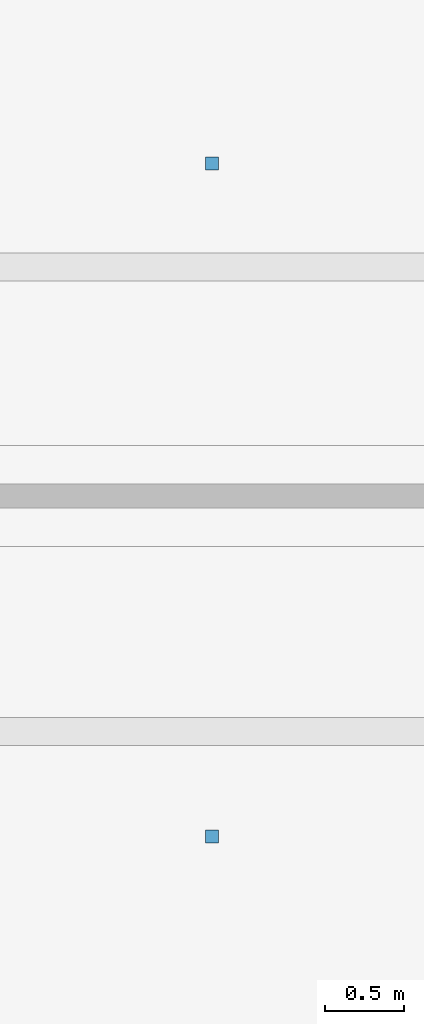
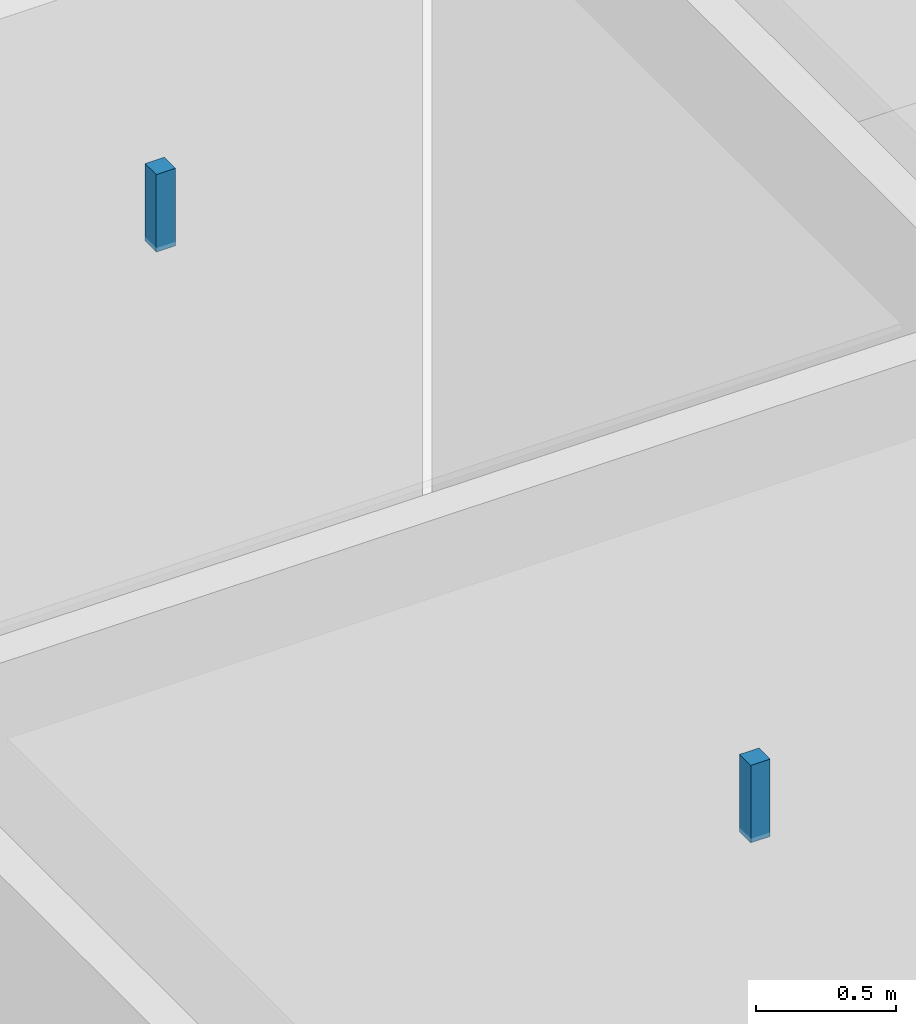
# One storey, part 96 of 116: 2 discrete accessories.
"""IFC4 building model written with IfcOpenShell, lengths in metres."""

from ifc_helpers import new_model, si_unit, direction, frame, origin, origin_2d, place, context, subcontext, project, spatial, rectangle, extrude, material, type_object, element, save


model = new_model("IFC4")

# Units and contexts
model_context = context("Model", 3, precision=1e-05, world=origin(), true_north=direction((0.0, 1.0)))
body_context = subcontext(model_context, "Body", "Model", "MODEL_VIEW")
ifc_project = project(units=[si_unit("LENGTHUNIT", "METRE"), si_unit("AREAUNIT", "SQUARE_METRE"), si_unit("VOLUMEUNIT", "CUBIC_METRE"), si_unit("PLANEANGLEUNIT", "RADIAN"), si_unit("MASSUNIT", "GRAM", prefix="KILO")], contexts=[model_context])

# Site, building, storey
site_placement = place(None, origin())
site = spatial("IfcSite", under=ifc_project, at=site_placement, CompositionType="ELEMENT")
building_placement = place(site_placement, origin())
building = spatial("IfcBuilding", under=site, at=building_placement, Name="Chalmorin Arch Market", CompositionType="ELEMENT")
storey_placement = place(building_placement, origin())
storey = spatial("IfcBuildingStorey", under=building, at=storey_placement, Name="L00", CompositionType="ELEMENT", Elevation=0.0)

# Discrete accessories
ifc_material = material(Name="Galvanized Cold-Formed Steel", Category="steel")
discrete_accessory_type = type_object("IfcDiscreteAccessoryType", Name="CeilingSuspensionBracket-80x80", PredefinedType="BRACKET", material=ifc_material)
for number, where, z_axis, x_axis, name in (
    (1, (117.550048828125, 8.449951171875, 4.261962890625), (0.0, 0.0, 1.0), (1.0, 0.0, 0.0), "CSB-077"),
    (2, (117.550048828125, 12.699951171875, 4.261962890625), (0.0, 0.0, 1.0), (1.0, 0.0, 0.0), "CSB-081"),
):
    element("IfcDiscreteAccessory", number, at=place(storey_placement, frame(where, z_axis=z_axis, x_axis=x_axis)), inside=storey, type_object=discrete_accessory_type, Name=name, PredefinedType="BRACKET", context=body_context, shape_type="SweptSolid", body=[
        extrude(rectangle(XDim=0.080078125, YDim=0.080078125, at=origin_2d()), origin(), (0.0, 0.0, 1.0), 0.337890625),
    ])

save(model, "model.ifc")
